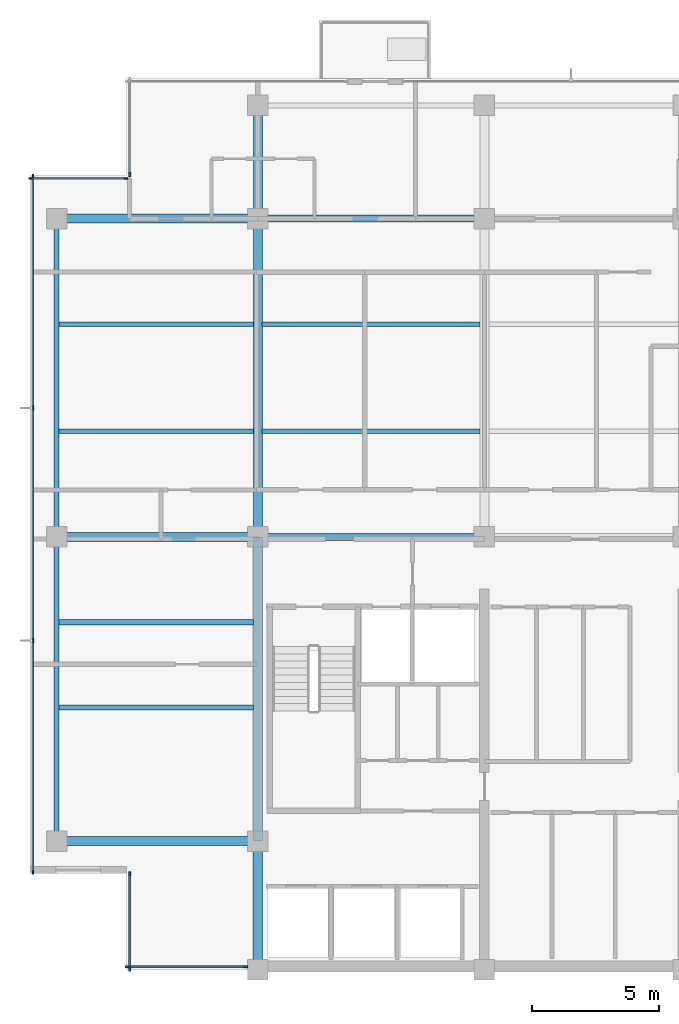
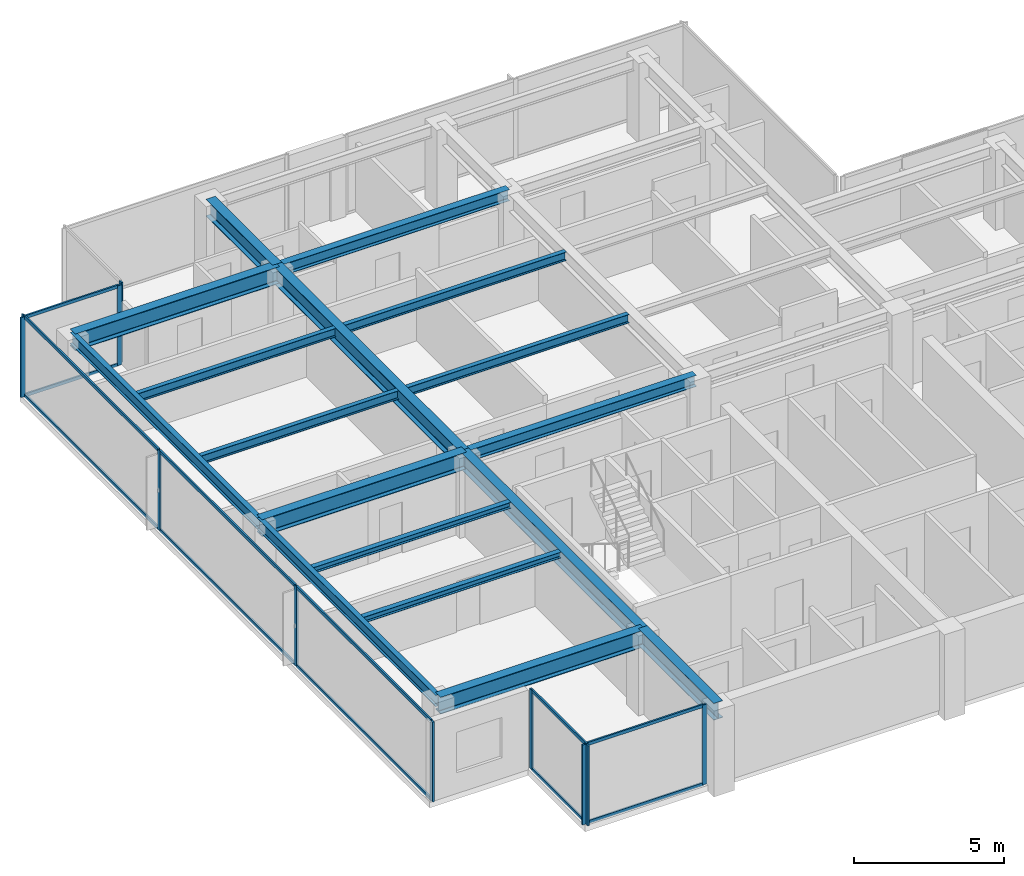
# One storey, part 2 of 11: 23 members, 17 beams, 5 elements without a shape of their own.
"""IFC4 building model written with IfcOpenShell, lengths in metres."""

from ifc_helpers import new_model, si_unit, direction, frame, origin, origin_2d, place, context, subcontext, project, spatial, rectangle, i_section, extrude, material, layer, layer_set, material_profile, profile_set, type_object, element, aggregate, save


model = new_model("IFC4")

# Units and contexts
model_context = context("Model", 3, precision=1e-05, world=origin(), true_north=direction((0.0, 1.0)))
body_context = subcontext(model_context, "Body", "Model", "MODEL_VIEW")
ifc_project = project(units=[si_unit("LENGTHUNIT", "METRE"), si_unit("AREAUNIT", "SQUARE_METRE"), si_unit("VOLUMEUNIT", "CUBIC_METRE"), si_unit("PLANEANGLEUNIT", "RADIAN"), si_unit("MASSUNIT", "GRAM", prefix="KILO")], contexts=[model_context])

# Site, building, storey
site_placement = place(None, origin())
site = spatial("IfcSite", under=ifc_project, at=site_placement, CompositionType="ELEMENT")
building_placement = place(site_placement, origin())
building = spatial("IfcBuilding", under=site, at=building_placement, Name="Qalmaran Belvedere Hotel", CompositionType="ELEMENT")
storey_placement = place(building_placement, frame((0.0, 0.0, 256.39990234375)))
storey = spatial("IfcBuildingStorey", under=building, at=storey_placement, Name="L66", CompositionType="ELEMENT", Elevation=256.39990234375)

# Beams
ifc_material_1 = material(Name="Steel S355JR", Category="steel")
ifc_material_profile_1 = material_profile(ifc_material_1, i_section(OverallWidth=0.201904296875, OverallDepth=0.2470703125, WebThickness=0.00732421875, FlangeThickness=0.010986328125, FilletRadius=0.011962890625, at=origin_2d()), Name="W250X49")
ifc_profile_set_1 = profile_set([ifc_material_profile_1], Name="Steel S355JR")
beam_type_1 = type_object("IfcBeamType", Name="BM-JST-W250X49", PredefinedType="JOIST", material=ifc_profile_set_1)
for number, where, z_axis, x_axis, name in (
    (1, (12.493896484375, 13.800048828125, 3.13671875), (1.0, 0.0, 0.0), (0.0, 1.0, 0.0), "L66 West Wing Joist 031"),
    (2, (12.493896484375, 17.14990234375, 3.13671875), (1.0, 0.0, 0.0), (0.0, 1.0, 0.0), "L66 West Wing Joist 033"),
):
    element("IfcBeam", number, at=place(storey_placement, frame(where, z_axis=z_axis, x_axis=x_axis)), inside=storey, type_object=beam_type_1, Name=name, PredefinedType="JOIST", context=body_context, shape_type="SweptSolid", body=[
        extrude(i_section(OverallWidth=0.201904296875, OverallDepth=0.2470703125, WebThickness=0.00732421875, FlangeThickness=0.010986328125, FilletRadius=0.011962890625, at=origin_2d()), origin(), (0.0, 0.0, 1.0), 7.630615234375),
    ])
ifc_material_profile_2 = material_profile(ifc_material_1, i_section(OverallWidth=0.172119140625, OverallDepth=0.35791015625, WebThickness=0.0078125, FlangeThickness=0.01318359375, FilletRadius=0.014892578125, at=origin_2d()), Name="W360X57")
ifc_profile_set_2 = profile_set([ifc_material_profile_2], Name="Steel S355JR")
beam_type_2 = type_object("IfcBeamType", Name="BM-SB4-W360X57", PredefinedType="BEAM", material=ifc_profile_set_2)
beam_1_placement = place(storey_placement, frame((12.493896484375, 24.64990234375, 3.0810546875), z_axis=(1.0, 0.0, 0.0), x_axis=(0.0, 1.0, 0.0)))
element("IfcBeam", 3, at=beam_1_placement, inside=storey, type_object=beam_type_2, Name="L66 West Secondary Beam 024", PredefinedType="BEAM", context=body_context, shape_type="SweptSolid", body=[
    extrude(i_section(OverallWidth=0.172119140625, OverallDepth=0.35791015625, WebThickness=0.0078125, FlangeThickness=0.01318359375, FilletRadius=0.014892578125, at=origin_2d()), origin(), (0.0, 0.0, 1.0), 7.630615234375),
])
beam_2_placement = place(storey_placement, frame((20.4755859375, 24.64990234375, 3.0810546875), z_axis=(1.0, 0.0, 0.0), x_axis=(0.0, 1.0, 0.0)))
element("IfcBeam", 4, at=beam_2_placement, inside=storey, type_object=beam_type_2, Name="L66 Secondary Floor Beam 025", PredefinedType="BEAM", context=body_context, shape_type="SweptSolid", body=[
    extrude(i_section(OverallWidth=0.172119140625, OverallDepth=0.35791015625, WebThickness=0.0078125, FlangeThickness=0.01318359375, FilletRadius=0.014892578125, at=origin_2d()), origin(), (0.0, 0.0, 1.0), 8.548828125),
])
beam_3_placement = place(storey_placement, frame((12.493896484375, 28.85009765625, 3.0810546875), z_axis=(1.0, 0.0, 0.0), x_axis=(0.0, 1.0, 0.0)))
element("IfcBeam", 5, at=beam_3_placement, inside=storey, type_object=beam_type_2, Name="L66 West Secondary Beam 028", PredefinedType="BEAM", context=body_context, shape_type="SweptSolid", body=[
    extrude(i_section(OverallWidth=0.172119140625, OverallDepth=0.35791015625, WebThickness=0.0078125, FlangeThickness=0.01318359375, FilletRadius=0.014892578125, at=origin_2d()), origin(), (0.0, 0.0, 1.0), 7.630615234375),
])
beam_4_placement = place(storey_placement, frame((20.4755859375, 28.85009765625, 3.0810546875), z_axis=(1.0, 0.0, 0.0), x_axis=(0.0, 1.0, 0.0)))
element("IfcBeam", 6, at=beam_4_placement, inside=storey, type_object=beam_type_2, Name="L66 Secondary Floor Beam 029", PredefinedType="BEAM", context=body_context, shape_type="SweptSolid", body=[
    extrude(i_section(OverallWidth=0.172119140625, OverallDepth=0.35791015625, WebThickness=0.0078125, FlangeThickness=0.01318359375, FilletRadius=0.014892578125, at=origin_2d()), origin(), (0.0, 0.0, 1.0), 8.548828125),
])
ifc_material_profile_3 = material_profile(ifc_material_1, i_section(OverallWidth=0.19189453125, OverallDepth=0.462890625, WebThickness=0.010498046875, FlangeThickness=0.017578125, FilletRadius=0.01611328125, at=origin_2d()), Name="W460X89")
ifc_profile_set_3 = profile_set([ifc_material_profile_3], Name="Steel S355JR")
beam_type_3 = type_object("IfcBeamType", Name="BM-SP2-W460X89", PredefinedType="SPANDREL", material=ifc_profile_set_3)
beam_5_placement = place(storey_placement, frame((12.39990234375, 8.550048828125, 3.028564453125), z_axis=(0.0, 1.0, 0.0), x_axis=(-1.0, 0.0, 0.0)))
element("IfcBeam", 7, at=beam_5_placement, inside=storey, type_object=beam_type_3, Name="L66 Perimeter Spandrel 01", PredefinedType="SPANDREL", context=body_context, shape_type="SweptSolid", body=[
    extrude(i_section(OverallWidth=0.19189453125, OverallDepth=0.462890625, WebThickness=0.010498046875, FlangeThickness=0.017578125, FilletRadius=0.01611328125, at=origin_2d()), origin(), (0.0, 0.0, 1.0), 11.949951171875),
])
beam_6_placement = place(storey_placement, frame((12.39990234375, 20.5, 3.028564453125), z_axis=(0.0, 1.0, 0.0), x_axis=(-1.0, 0.0, 0.0)))
element("IfcBeam", 8, at=beam_6_placement, inside=storey, type_object=beam_type_3, Name="L66 Perimeter Spandrel 02", PredefinedType="SPANDREL", context=body_context, shape_type="SweptSolid", body=[
    extrude(i_section(OverallWidth=0.19189453125, OverallDepth=0.462890625, WebThickness=0.010498046875, FlangeThickness=0.017578125, FilletRadius=0.01611328125, at=origin_2d()), origin(), (0.0, 0.0, 1.0), 12.5),
])
ifc_material_profile_4 = material_profile(ifc_material_1, i_section(OverallWidth=0.35498046875, OverallDepth=0.695068359375, WebThickness=0.015380859375, FlangeThickness=0.02490234375, FilletRadius=0.02197265625, at=origin_2d()), Name="W690X217")
ifc_profile_set_4 = profile_set([ifc_material_profile_4], Name="Steel S355JR")
beam_type_4 = type_object("IfcBeamType", Name="BM-Z1-W690X217", PredefinedType="USERDEFINED", material=ifc_profile_set_4)
beam_7_placement = place(storey_placement, frame((20.300048828125, 20.5, 2.91259765625), z_axis=(0.0, 1.0, 0.0), x_axis=(-1.0, 0.0, 0.0)))
element("IfcBeam", 9, at=beam_7_placement, inside=storey, type_object=beam_type_4, Name="L66 Mid-Plate N-S Girder 11", ObjectType="GIRDER", PredefinedType="USERDEFINED", context=body_context, shape_type="SweptSolid", body=[
    extrude(i_section(OverallWidth=0.35498046875, OverallDepth=0.695068359375, WebThickness=0.015380859375, FlangeThickness=0.02490234375, FilletRadius=0.02197265625, at=origin_2d()), origin(), (0.0, 0.0, 1.0), 12.5),
])
beam_8_placement = place(storey_placement, frame((20.300048828125, 33.0, 2.91259765625), z_axis=(0.0, 1.0, 0.0), x_axis=(-1.0, 0.0, 0.0)))
element("IfcBeam", 10, at=beam_8_placement, inside=storey, type_object=beam_type_4, Name="L66 North Bay Girder 12", ObjectType="GIRDER", PredefinedType="USERDEFINED", context=body_context, shape_type="SweptSolid", body=[
    extrude(i_section(OverallWidth=0.35498046875, OverallDepth=0.695068359375, WebThickness=0.015380859375, FlangeThickness=0.02490234375, FilletRadius=0.02197265625, at=origin_2d()), origin(), (0.0, 0.0, 1.0), 4.449951171875),
])
for number, where, z_axis, x_axis, name in (
    (11, (12.39990234375, 8.550048828125, 2.91259765625), (1.0, 0.0, 0.0), (0.0, 1.0, 0.0), "L66 West Wing Girder 19"),
    (12, (12.39990234375, 20.5, 2.91259765625), (1.0, 0.0, 0.0), (0.0, 1.0, 0.0), "L66 West Wing Girder 20"),
    (13, (12.39990234375, 33.0, 2.91259765625), (1.0, 0.0, 0.0), (0.0, 1.0, 0.0), "L66 West Wing Girder 21"),
):
    element("IfcBeam", number, at=place(storey_placement, frame(where, z_axis=z_axis, x_axis=x_axis)), inside=storey, type_object=beam_type_4, Name=name, ObjectType="GIRDER", PredefinedType="USERDEFINED", context=body_context, shape_type="SweptSolid", body=[
        extrude(i_section(OverallWidth=0.35498046875, OverallDepth=0.695068359375, WebThickness=0.015380859375, FlangeThickness=0.02490234375, FilletRadius=0.02197265625, at=origin_2d()), origin(), (0.0, 0.0, 1.0), 7.900146484375),
    ])
beam_9_placement = place(storey_placement, frame((20.300048828125, 3.5, 2.91259765625), z_axis=(0.0, 1.0, 0.0), x_axis=(-1.0, 0.0, 0.0)))
element("IfcBeam", 14, at=beam_9_placement, inside=storey, type_object=beam_type_4, Name="L66 West Core Edge Girder A", ObjectType="GIRDER", PredefinedType="USERDEFINED", context=body_context, shape_type="SweptSolid", body=[
    extrude(i_section(OverallWidth=0.35498046875, OverallDepth=0.695068359375, WebThickness=0.015380859375, FlangeThickness=0.02490234375, FilletRadius=0.02197265625, at=origin_2d()), origin(), (0.0, 0.0, 1.0), 5.050048828125),
])
beam_10_placement = place(storey_placement, frame((20.300048828125, 8.550048828125, 2.91259765625), z_axis=(0.0, 1.0, 0.0), x_axis=(-1.0, 0.0, 0.0)))
element("IfcBeam", 15, at=beam_10_placement, inside=storey, type_object=beam_type_4, Name="L66 West Core Edge Girder B", ObjectType="GIRDER", PredefinedType="USERDEFINED", context=body_context, shape_type="SweptSolid", body=[
    extrude(i_section(OverallWidth=0.35498046875, OverallDepth=0.695068359375, WebThickness=0.015380859375, FlangeThickness=0.02490234375, FilletRadius=0.02197265625, at=origin_2d()), origin(), (0.0, 0.0, 1.0), 11.949951171875),
])
ifc_material_profile_5 = material_profile(ifc_material_1, i_section(OverallWidth=0.280029296875, OverallDepth=0.462890625, WebThickness=0.0107421875, FlangeThickness=0.017333984375, FilletRadius=0.01611328125, at=origin_2d()), Name="W460X113")
ifc_profile_set_5 = profile_set([ifc_material_profile_5], Name="Steel S355JR")
beam_type_5 = type_object("IfcBeamType", Name="BM-Z5-W460X113", PredefinedType="USERDEFINED", material=ifc_profile_set_5)
for number, where, z_axis, x_axis, name in (
    (16, (20.300048828125, 20.5, 3.028564453125), (1.0, 0.0, 0.0), (0.0, 1.0, 0.0), "L66 Interior E-W Girder 06"),
    (17, (20.300048828125, 33.0, 3.028564453125), (1.0, 0.0, 0.0), (0.0, 1.0, 0.0), "L66 Interior E-W Girder 09"),
):
    element("IfcBeam", number, at=place(storey_placement, frame(where, z_axis=z_axis, x_axis=x_axis)), inside=storey, type_object=beam_type_5, Name=name, ObjectType="GIRDER", PredefinedType="USERDEFINED", context=body_context, shape_type="SweptSolid", body=[
        extrude(i_section(OverallWidth=0.280029296875, OverallDepth=0.462890625, WebThickness=0.0107421875, FlangeThickness=0.017333984375, FilletRadius=0.01611328125, at=origin_2d()), origin(), (0.0, 0.0, 1.0), 8.89990234375),
    ])

# Curtain wall, members
ifc_material_2 = material(Name="Anodised Bronze Aluminium", Category="aluminium")
ifc_layer = layer(ifc_material_2, 0.18505859375, Name="Anodised Bronze Aluminium")
ifc_layer_set = layer_set([ifc_layer], Name="Anodised Bronze Aluminium")
curtain_wall_type = type_object("IfcCurtainWallType", Name="CW6-TOWER-SKY", PredefinedType="NOTDEFINED", material=ifc_layer_set)
curtain_wall_1_placement = place(storey_placement, origin())
curtain_wall_1 = element("IfcCurtainWall", 18, at=curtain_wall_1_placement, inside=storey, type_object=curtain_wall_type, Name="L66 Curtain Wall CW6", PredefinedType="NOTDEFINED")
ifc_material_profile_6 = material_profile(ifc_material_2, rectangle(XDim=0.06494140625, YDim=0.1650390625, at=origin_2d()), Name="CWM65X165")
ifc_profile_set_6 = profile_set([ifc_material_profile_6], Name="Anodised Bronze Aluminium")
member_type_1 = type_object("IfcMemberType", Name="CWM-65X165", PredefinedType="MULLION", material=ifc_profile_set_6)
member_1_placement = place(storey_placement, frame((15.1826171875, 3.6201171875, 0.0), z_axis=(0.0, 0.0, 1.0), x_axis=(0.0, 1.0, 0.0)))
member_1 = element("IfcMember", 19, at=member_1_placement, type_object=member_type_1, Name="CW6 mullion 1", PredefinedType="MULLION", context=body_context, shape_type="SweptSolid", body=[
    extrude(rectangle(XDim=0.06494140625, YDim=0.1650390625, at=origin_2d()), origin(), (0.0, 0.0, 1.0), 3.260009765625),
])
member_2_placement = place(storey_placement, frame((19.827392578125, 3.6201171875, 0.0), z_axis=(0.0, 0.0, 1.0), x_axis=(0.0, 1.0, 0.0)))
member_2 = element("IfcMember", 20, at=member_2_placement, type_object=member_type_1, Name="CW6 mullion 2", PredefinedType="MULLION", context=body_context, shape_type="SweptSolid", body=[
    extrude(rectangle(XDim=0.06494140625, YDim=0.1650390625, at=origin_2d()), origin(), (0.0, 0.0, 1.0), 3.260009765625),
])

# Curtain wall, member
curtain_wall_2_placement = place(storey_placement, origin())
curtain_wall_2 = element("IfcCurtainWall", 21, at=curtain_wall_2_placement, inside=storey, type_object=curtain_wall_type, Name="L66 Curtain Wall CW6", PredefinedType="NOTDEFINED")
member_3_placement = place(storey_placement, frame((15.27001953125, 34.732421875, 0.0), z_axis=(0.0, 0.0, 1.0), x_axis=(1.0, 0.0, 0.0)))
member_3 = element("IfcMember", 22, at=member_3_placement, type_object=member_type_1, Name="CW6 mullion 2", PredefinedType="MULLION", context=body_context, shape_type="SweptSolid", body=[
    extrude(rectangle(XDim=0.06494140625, YDim=0.1650390625, at=origin_2d()), origin(), (0.0, 0.0, 1.0), 3.260009765625),
])
aggregate(curtain_wall_2, [member_3])

# Curtain wall, members
curtain_wall_3_placement = place(storey_placement, origin())
curtain_wall_3 = element("IfcCurtainWall", 23, at=curtain_wall_3_placement, inside=storey, type_object=curtain_wall_type, Name="L66 Curtain Wall CW6", PredefinedType="NOTDEFINED")
member_4_placement = place(storey_placement, frame((15.117431640625, 34.580078125, 0.0), z_axis=(0.0, 0.0, 1.0), x_axis=(0.0, -1.0, 0.0)))
member_4 = element("IfcMember", 24, at=member_4_placement, type_object=member_type_1, Name="CW6 mullion 1", PredefinedType="MULLION", context=body_context, shape_type="SweptSolid", body=[
    extrude(rectangle(XDim=0.06494140625, YDim=0.1650390625, at=origin_2d()), origin(), (0.0, 0.0, 1.0), 3.260009765625),
])
member_5_placement = place(storey_placement, frame((11.382568359375, 34.580078125, 0.0), z_axis=(0.0, 0.0, 1.0), x_axis=(0.0, -1.0, 0.0)))
member_5 = element("IfcMember", 25, at=member_5_placement, type_object=member_type_1, Name="CW6 mullion 2", PredefinedType="MULLION", context=body_context, shape_type="SweptSolid", body=[
    extrude(rectangle(XDim=0.06494140625, YDim=0.1650390625, at=origin_2d()), origin(), (0.0, 0.0, 1.0), 3.260009765625),
])

curtain_wall_4_placement = place(storey_placement, origin())
curtain_wall_4 = element("IfcCurtainWall", 26, at=curtain_wall_4_placement, inside=storey, type_object=curtain_wall_type, Name="L66 Curtain Wall CW6", PredefinedType="NOTDEFINED")
member_6_placement = place(storey_placement, frame((11.469970703125, 34.66748046875, 0.0), z_axis=(0.0, 0.0, 1.0), x_axis=(1.0, 0.0, 0.0)))
member_6 = element("IfcMember", 27, at=member_6_placement, type_object=member_type_1, Name="CW6 mullion 1", PredefinedType="MULLION", context=body_context, shape_type="SweptSolid", body=[
    extrude(rectangle(XDim=0.06494140625, YDim=0.1650390625, at=origin_2d()), origin(), (0.0, 0.0, 1.0), 3.260009765625),
])
member_7_placement = place(storey_placement, frame((11.469970703125, 25.566650390625, 0.0), z_axis=(0.0, 0.0, 1.0), x_axis=(1.0, 0.0, 0.0)))
member_7 = element("IfcMember", 28, at=member_7_placement, type_object=member_type_1, Name="CW6 mullion 2", PredefinedType="MULLION", context=body_context, shape_type="SweptSolid", body=[
    extrude(rectangle(XDim=0.06494140625, YDim=0.1650390625, at=origin_2d()), origin(), (0.0, 0.0, 1.0), 3.260009765625),
])
member_8_placement = place(storey_placement, frame((11.469970703125, 16.433349609375, 0.0), z_axis=(0.0, 0.0, 1.0), x_axis=(1.0, 0.0, 0.0)))
member_8 = element("IfcMember", 29, at=member_8_placement, type_object=member_type_1, Name="CW6 mullion 3", PredefinedType="MULLION", context=body_context, shape_type="SweptSolid", body=[
    extrude(rectangle(XDim=0.06494140625, YDim=0.1650390625, at=origin_2d()), origin(), (0.0, 0.0, 1.0), 3.260009765625),
])
member_9_placement = place(storey_placement, frame((11.469970703125, 7.33251953125, 0.0), z_axis=(0.0, 0.0, 1.0), x_axis=(1.0, 0.0, 0.0)))
member_9 = element("IfcMember", 30, at=member_9_placement, type_object=member_type_1, Name="CW6 mullion 4", PredefinedType="MULLION", context=body_context, shape_type="SweptSolid", body=[
    extrude(rectangle(XDim=0.06494140625, YDim=0.1650390625, at=origin_2d()), origin(), (0.0, 0.0, 1.0), 3.260009765625),
])

curtain_wall_5_placement = place(storey_placement, origin())
curtain_wall_5 = element("IfcCurtainWall", 31, at=curtain_wall_5_placement, inside=storey, type_object=curtain_wall_type, Name="L66 Curtain Wall CW6", PredefinedType="NOTDEFINED")
member_10_placement = place(storey_placement, frame((15.27001953125, 7.267578125, 0.0), z_axis=(0.0, 0.0, 1.0), x_axis=(1.0, 0.0, 0.0)))
member_10 = element("IfcMember", 32, at=member_10_placement, type_object=member_type_1, Name="CW6 mullion 1", PredefinedType="MULLION", context=body_context, shape_type="SweptSolid", body=[
    extrude(rectangle(XDim=0.06494140625, YDim=0.1650390625, at=origin_2d()), origin(), (0.0, 0.0, 1.0), 3.260009765625),
])
member_11_placement = place(storey_placement, frame((15.27001953125, 3.532470703125, 0.0), z_axis=(0.0, 0.0, 1.0), x_axis=(1.0, 0.0, 0.0)))
member_11 = element("IfcMember", 33, at=member_11_placement, type_object=member_type_1, Name="CW6 mullion 2", PredefinedType="MULLION", context=body_context, shape_type="SweptSolid", body=[
    extrude(rectangle(XDim=0.06494140625, YDim=0.1650390625, at=origin_2d()), origin(), (0.0, 0.0, 1.0), 3.260009765625),
])

# Member
ifc_material_profile_7 = material_profile(ifc_material_2, rectangle(XDim=0.06494140625, YDim=0.1298828125, at=origin_2d()), Name="CWT65X130")
ifc_profile_set_7 = profile_set([ifc_material_profile_7], Name="Anodised Bronze Aluminium")
member_type_2 = type_object("IfcMemberType", Name="CWT-65X130", PredefinedType="USERDEFINED", material=ifc_profile_set_7)
member_12_placement = place(storey_placement, frame((15.215087890625, 3.6201171875, 0.03271484375), z_axis=(1.0, 0.0, 0.0), x_axis=(0.0, 1.0, 0.0)))
member_12 = element("IfcMember", 34, at=member_12_placement, type_object=member_type_2, Name="CW6 transom 1.1", ObjectType="TRANSOM", PredefinedType="USERDEFINED", context=body_context, shape_type="SweptSolid", body=[
    extrude(rectangle(XDim=0.06494140625, YDim=0.1298828125, at=origin_2d()), origin(), (0.0, 0.0, 1.0), 4.579833984375),
])

member_13_placement = place(storey_placement, frame((15.215087890625, 3.6201171875, 3.2275390625), z_axis=(1.0, 0.0, 0.0), x_axis=(0.0, 1.0, 0.0)))
member_13 = element("IfcMember", 35, at=member_13_placement, type_object=member_type_2, Name="CW6 transom 1.2", ObjectType="TRANSOM", PredefinedType="USERDEFINED", context=body_context, shape_type="SweptSolid", body=[
    extrude(rectangle(XDim=0.06494140625, YDim=0.1298828125, at=origin_2d()), origin(), (0.0, 0.0, 1.0), 4.579833984375),
])

aggregate(curtain_wall_1, [member_1, member_2, member_12, member_13])

member_14_placement = place(storey_placement, frame((15.0849609375, 34.580078125, 0.03271484375), z_axis=(-1.0, 0.0, 0.0), x_axis=(0.0, -1.0, 0.0)))
member_14 = element("IfcMember", 36, at=member_14_placement, type_object=member_type_2, Name="CW6 transom 1.1", ObjectType="TRANSOM", PredefinedType="USERDEFINED", context=body_context, shape_type="SweptSolid", body=[
    extrude(rectangle(XDim=0.06494140625, YDim=0.1298828125, at=origin_2d()), origin(), (0.0, 0.0, 1.0), 3.669921875),
])

member_15_placement = place(storey_placement, frame((15.0849609375, 34.580078125, 3.2275390625), z_axis=(-1.0, 0.0, 0.0), x_axis=(0.0, -1.0, 0.0)))
member_15 = element("IfcMember", 37, at=member_15_placement, type_object=member_type_2, Name="CW6 transom 1.2", ObjectType="TRANSOM", PredefinedType="USERDEFINED", context=body_context, shape_type="SweptSolid", body=[
    extrude(rectangle(XDim=0.06494140625, YDim=0.1298828125, at=origin_2d()), origin(), (0.0, 0.0, 1.0), 3.669921875),
])

aggregate(curtain_wall_3, [member_4, member_5, member_14, member_15])

member_16_placement = place(storey_placement, frame((11.469970703125, 34.635009765625, 0.03271484375), z_axis=(0.0, -1.0, 0.0), x_axis=(1.0, 0.0, 0.0)))
member_16 = element("IfcMember", 38, at=member_16_placement, type_object=member_type_2, Name="CW6 transom 1.1", ObjectType="TRANSOM", PredefinedType="USERDEFINED", context=body_context, shape_type="SweptSolid", body=[
    extrude(rectangle(XDim=0.06494140625, YDim=0.1298828125, at=origin_2d()), origin(), (0.0, 0.0, 1.0), 9.035888671875),
])

member_17_placement = place(storey_placement, frame((11.469970703125, 34.635009765625, 3.2275390625), z_axis=(0.0, -1.0, 0.0), x_axis=(1.0, 0.0, 0.0)))
member_17 = element("IfcMember", 39, at=member_17_placement, type_object=member_type_2, Name="CW6 transom 1.2", ObjectType="TRANSOM", PredefinedType="USERDEFINED", context=body_context, shape_type="SweptSolid", body=[
    extrude(rectangle(XDim=0.06494140625, YDim=0.1298828125, at=origin_2d()), origin(), (0.0, 0.0, 1.0), 9.035888671875),
])

member_18_placement = place(storey_placement, frame((11.469970703125, 25.5341796875, 0.03271484375), z_axis=(0.0, -1.0, 0.0), x_axis=(1.0, 0.0, 0.0)))
member_18 = element("IfcMember", 40, at=member_18_placement, type_object=member_type_2, Name="CW6 transom 2.1", ObjectType="TRANSOM", PredefinedType="USERDEFINED", context=body_context, shape_type="SweptSolid", body=[
    extrude(rectangle(XDim=0.06494140625, YDim=0.1298828125, at=origin_2d()), origin(), (0.0, 0.0, 1.0), 9.068359375),
])

member_19_placement = place(storey_placement, frame((11.469970703125, 25.5341796875, 3.2275390625), z_axis=(0.0, -1.0, 0.0), x_axis=(1.0, 0.0, 0.0)))
member_19 = element("IfcMember", 41, at=member_19_placement, type_object=member_type_2, Name="CW6 transom 2.2", ObjectType="TRANSOM", PredefinedType="USERDEFINED", context=body_context, shape_type="SweptSolid", body=[
    extrude(rectangle(XDim=0.06494140625, YDim=0.1298828125, at=origin_2d()), origin(), (0.0, 0.0, 1.0), 9.068359375),
])

member_20_placement = place(storey_placement, frame((11.469970703125, 16.40087890625, 0.03271484375), z_axis=(0.0, -1.0, 0.0), x_axis=(1.0, 0.0, 0.0)))
member_20 = element("IfcMember", 42, at=member_20_placement, type_object=member_type_2, Name="CW6 transom 3.1", ObjectType="TRANSOM", PredefinedType="USERDEFINED", context=body_context, shape_type="SweptSolid", body=[
    extrude(rectangle(XDim=0.06494140625, YDim=0.1298828125, at=origin_2d()), origin(), (0.0, 0.0, 1.0), 9.035888671875),
])

member_21_placement = place(storey_placement, frame((11.469970703125, 16.40087890625, 3.2275390625), z_axis=(0.0, -1.0, 0.0), x_axis=(1.0, 0.0, 0.0)))
member_21 = element("IfcMember", 43, at=member_21_placement, type_object=member_type_2, Name="CW6 transom 3.2", ObjectType="TRANSOM", PredefinedType="USERDEFINED", context=body_context, shape_type="SweptSolid", body=[
    extrude(rectangle(XDim=0.06494140625, YDim=0.1298828125, at=origin_2d()), origin(), (0.0, 0.0, 1.0), 9.035888671875),
])

aggregate(curtain_wall_4, [member_6, member_7, member_8, member_9, member_16, member_17, member_18, member_19, member_20, member_21])

member_22_placement = place(storey_placement, frame((15.27001953125, 7.235107421875, 0.03271484375), z_axis=(0.0, -1.0, 0.0), x_axis=(1.0, 0.0, 0.0)))
member_22 = element("IfcMember", 44, at=member_22_placement, type_object=member_type_2, Name="CW6 transom 1.1", ObjectType="TRANSOM", PredefinedType="USERDEFINED", context=body_context, shape_type="SweptSolid", body=[
    extrude(rectangle(XDim=0.06494140625, YDim=0.1298828125, at=origin_2d()), origin(), (0.0, 0.0, 1.0), 3.670166015625),
])

member_23_placement = place(storey_placement, frame((15.27001953125, 7.235107421875, 3.2275390625), z_axis=(0.0, -1.0, 0.0), x_axis=(1.0, 0.0, 0.0)))
member_23 = element("IfcMember", 45, at=member_23_placement, type_object=member_type_2, Name="CW6 transom 1.2", ObjectType="TRANSOM", PredefinedType="USERDEFINED", context=body_context, shape_type="SweptSolid", body=[
    extrude(rectangle(XDim=0.06494140625, YDim=0.1298828125, at=origin_2d()), origin(), (0.0, 0.0, 1.0), 3.670166015625),
])

aggregate(curtain_wall_5, [member_10, member_11, member_22, member_23])

save(model, "model.ifc")
